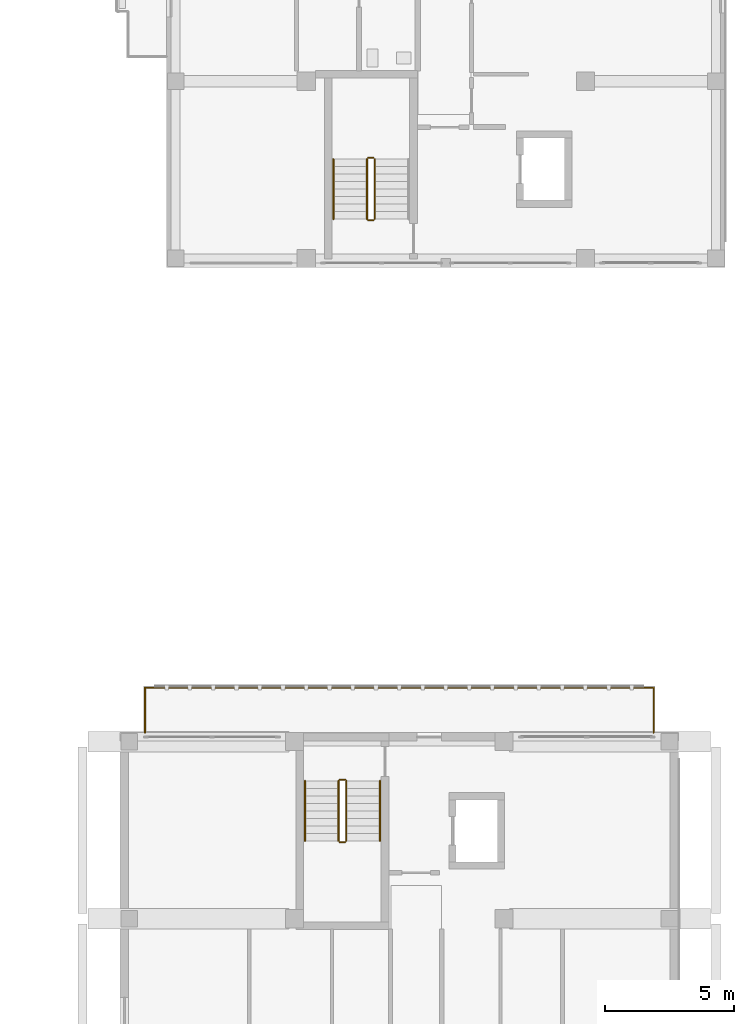
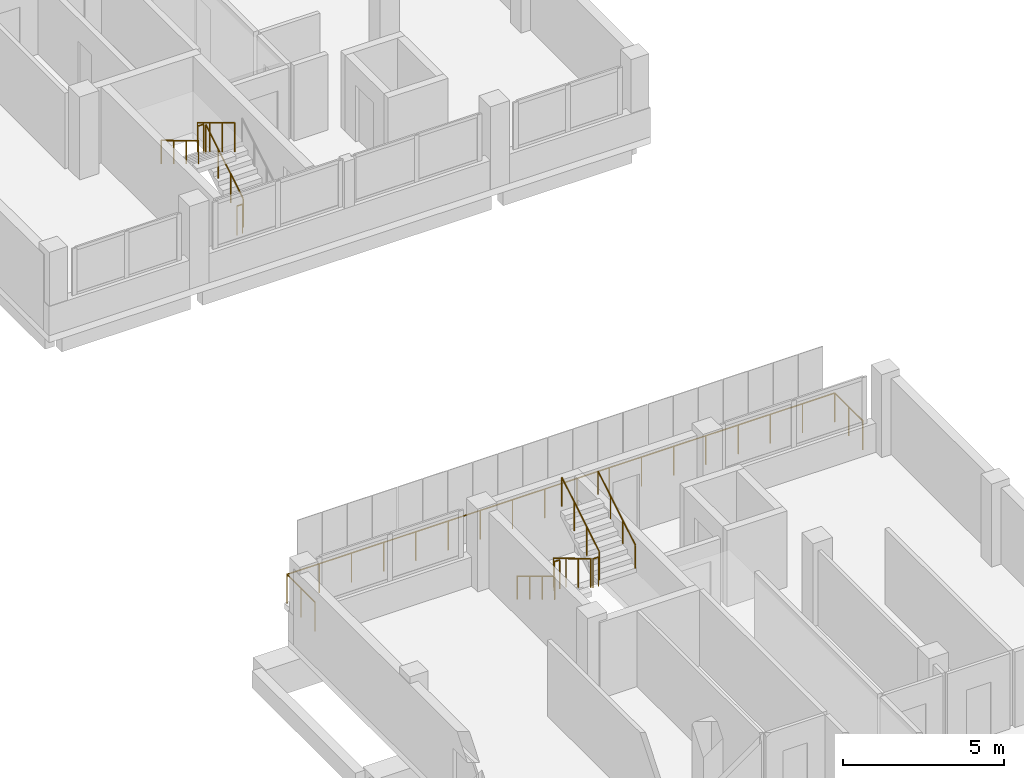
# One storey, part 47 of 51: 12 railings.
"""IFC4 building model written with IfcOpenShell, lengths in metres."""

from ifc_helpers import new_model, si_unit, derived_unit, direction, frame, origin, origin_2d, place, context, subcontext, project, spatial, circle, extrude, material, type_object, element, save


model = new_model("IFC4")

# Units and contexts
model_context = context("Model", 3, precision=1e-05, world=origin(), true_north=direction((0.0, 1.0)))
body_context = subcontext(model_context, "Body", "Model", "MODEL_VIEW")
ifc_project = project(units=[si_unit("LENGTHUNIT", "METRE"), si_unit("AREAUNIT", "SQUARE_METRE"), si_unit("VOLUMEUNIT", "CUBIC_METRE"), si_unit("PLANEANGLEUNIT", "RADIAN"), si_unit("MASSUNIT", "GRAM", prefix="KILO"), derived_unit("THERMALTRANSMITTANCEUNIT", [(si_unit("MASSUNIT", "GRAM", prefix="KILO"), 1), (si_unit("TIMEUNIT", "SECOND"), -3), (si_unit("THERMODYNAMICTEMPERATUREUNIT", "KELVIN"), -1)])], contexts=[model_context])

# Site, building, storey
site_placement = place(None, origin())
site = spatial("IfcSite", under=ifc_project, at=site_placement, CompositionType="ELEMENT")
building_placement = place(site_placement, origin())
building = spatial("IfcBuilding", under=site, at=building_placement, Name="Ochrekiln Boulevard Commons", CompositionType="ELEMENT")
storey_placement = place(building_placement, frame((0.0, 0.0, 18.375)))
storey = spatial("IfcBuildingStorey", under=building, at=storey_placement, Name="L05", CompositionType="ELEMENT", Elevation=18.375)

# Railings
ifc_material_1 = material(Name="Bronze-anodized extruded aluminium 6063-T6", Category="aluminium")
railing_type_1 = type_object("IfcRailingType", Name="RLG-BAL-1120", PredefinedType="BALUSTRADE", material=ifc_material_1)
railing_1_placement = place(storey_placement, frame((150.360107421875, 50.39990234375, 0.0)))
element("IfcRailing", 1, at=railing_1_placement, inside=storey, type_object=railing_type_1, Name="Block C L05 Screened Balcony Guard", PredefinedType="BALUSTRADE", context=body_context, shape_type="SweptSolid", body=[
    extrude(circle(Radius=0.02392578125, at=origin_2d()), frame((0.0, 0.0, 1.09619140625), z_axis=(0.0, 1.0, 0.0), x_axis=(-1.0, 0.0, 0.0)), (0.0, 0.0, 1.0), 1.739990234375),
    extrude(circle(Radius=0.02392578125, at=origin_2d()), frame((0.0, 1.739990234375, 1.09619140625), z_axis=(1.0, 0.0, 0.0), x_axis=(0.0, 1.0, 0.0)), (0.0, 0.0, 1.0), 19.679931640625),
    extrude(circle(Radius=0.02392578125, at=origin_2d()), frame((19.679931640625, 1.739990234375, 1.09619140625), z_axis=(0.0, -1.0, 0.0), x_axis=(1.0, 0.0, 0.0)), (0.0, 0.0, 1.0), 1.739990234375),
    extrude(circle(Radius=0.02099609375, at=origin_2d()), origin(), (0.0, 0.0, 1.0), 1.072021484375),
    extrude(circle(Radius=0.02099609375, at=origin_2d()), frame((0.0, 0.8701171875, 0.0)), (0.0, 0.0, 1.0), 1.072021484375),
    extrude(circle(Radius=0.02099609375, at=origin_2d()), frame((0.0, 1.739990234375, 0.0)), (0.0, 0.0, 1.0), 1.072021484375),
    extrude(circle(Radius=0.02099609375, at=origin_2d()), frame((1.15771484375, 1.739990234375, 0.0)), (0.0, 0.0, 1.0), 1.072021484375),
    extrude(circle(Radius=0.02099609375, at=origin_2d()), frame((2.315185546875, 1.739990234375, 0.0)), (0.0, 0.0, 1.0), 1.072021484375),
    extrude(circle(Radius=0.02099609375, at=origin_2d()), frame((3.472900390625, 1.739990234375, 0.0)), (0.0, 0.0, 1.0), 1.072021484375),
    extrude(circle(Radius=0.02099609375, at=origin_2d()), frame((4.630615234375, 1.739990234375, 0.0)), (0.0, 0.0, 1.0), 1.072021484375),
    extrude(circle(Radius=0.02099609375, at=origin_2d()), frame((5.788330078125, 1.739990234375, 0.0)), (0.0, 0.0, 1.0), 1.072021484375),
    extrude(circle(Radius=0.02099609375, at=origin_2d()), frame((6.94580078125, 1.739990234375, 0.0)), (0.0, 0.0, 1.0), 1.072021484375),
    extrude(circle(Radius=0.02099609375, at=origin_2d()), frame((8.103515625, 1.739990234375, 0.0)), (0.0, 0.0, 1.0), 1.072021484375),
    extrude(circle(Radius=0.02099609375, at=origin_2d()), frame((9.26123046875, 1.739990234375, 0.0)), (0.0, 0.0, 1.0), 1.072021484375),
    extrude(circle(Radius=0.02099609375, at=origin_2d()), frame((10.418701171875, 1.739990234375, 0.0)), (0.0, 0.0, 1.0), 1.072021484375),
    extrude(circle(Radius=0.02099609375, at=origin_2d()), frame((11.576416015625, 1.739990234375, 0.0)), (0.0, 0.0, 1.0), 1.072021484375),
    extrude(circle(Radius=0.02099609375, at=origin_2d()), frame((12.734130859375, 1.739990234375, 0.0)), (0.0, 0.0, 1.0), 1.072021484375),
    extrude(circle(Radius=0.02099609375, at=origin_2d()), frame((13.8916015625, 1.739990234375, 0.0)), (0.0, 0.0, 1.0), 1.072021484375),
    extrude(circle(Radius=0.02099609375, at=origin_2d()), frame((15.04931640625, 1.739990234375, 0.0)), (0.0, 0.0, 1.0), 1.072021484375),
    extrude(circle(Radius=0.02099609375, at=origin_2d()), frame((16.20703125, 1.739990234375, 0.0)), (0.0, 0.0, 1.0), 1.072021484375),
    extrude(circle(Radius=0.02099609375, at=origin_2d()), frame((17.36474609375, 1.739990234375, 0.0)), (0.0, 0.0, 1.0), 1.072021484375),
    extrude(circle(Radius=0.02099609375, at=origin_2d()), frame((18.522216796875, 1.739990234375, 0.0)), (0.0, 0.0, 1.0), 1.072021484375),
    extrude(circle(Radius=0.02099609375, at=origin_2d()), frame((19.679931640625, 1.739990234375, 0.0)), (0.0, 0.0, 1.0), 1.072021484375),
    extrude(circle(Radius=0.02099609375, at=origin_2d()), frame((19.679931640625, 0.8701171875, 0.0)), (0.0, 0.0, 1.0), 1.072021484375),
    extrude(circle(Radius=0.02099609375, at=origin_2d()), frame((19.679931640625, 0.0, 0.0)), (0.0, 0.0, 1.0), 1.072021484375),
])
ifc_material_2 = material(Name="Brushed stainless steel 316 tubular railing", Category="steel")
railing_type_2 = type_object("IfcRailingType", Name="RLG-HDR-900", PredefinedType="HANDRAIL", material=ifc_material_2)
for number, where, name in (
    (2, (157.64990234375, 72.590087890625, 1.75), "L05 ST-B1 stair handrail 2"),
    (3, (156.550048828125, 48.530029296875, 0.175048828125), "L05 ST-C2 stair handrail 1"),
):
    element("IfcRailing", number, at=place(storey_placement, frame(where)), inside=storey, type_object=railing_type_2, Name=name, PredefinedType="HANDRAIL", context=body_context, shape_type="SweptSolid", body=[
        extrude(circle(Radius=0.02392578125, at=origin_2d()), frame((0.0, 0.0, 0.8759765625), z_axis=(0.0, -0.85621033714, 0.516627388526), x_axis=(1.0, 0.0, 0.0)), (0.0, 0.0, 1.0), 2.709716796875),
        extrude(circle(Radius=0.02099609375, at=origin_2d()), origin(), (0.0, 0.0, 1.0), 0.851806640625),
        extrude(circle(Radius=0.02099609375, at=origin_2d()), frame((0.0, -0.7734375, 0.466552734375)), (0.0, 0.0, 1.0), 0.851806640625),
        extrude(circle(Radius=0.02099609375, at=origin_2d()), frame((0.0, -1.546630859375, 0.933349609375)), (0.0, 0.0, 1.0), 0.851806640625),
        extrude(circle(Radius=0.02099609375, at=origin_2d()), frame((0.0, -2.320068359375, 1.39990234375)), (0.0, 0.0, 1.0), 0.851806640625),
    ])
railing_2_placement = place(storey_placement, frame((159.449951171875, 46.2099609375, 1.75)))
element("IfcRailing", 4, at=railing_2_placement, inside=storey, type_object=railing_type_2, Name="L05 ST-C2 stair handrail 2", PredefinedType="HANDRAIL", context=body_context, shape_type="SweptSolid", body=[
    extrude(circle(Radius=0.02392578125, at=origin_2d()), frame((0.0, 0.0, 0.8759765625), z_axis=(0.0, 0.85621033714, 0.516627388526), x_axis=(-1.0, 0.0, 0.0)), (0.0, 0.0, 1.0), 2.709716796875),
    extrude(circle(Radius=0.02099609375, at=origin_2d()), origin(), (0.0, 0.0, 1.0), 0.851806640625),
    extrude(circle(Radius=0.02099609375, at=origin_2d()), frame((0.0, 0.7734375, 0.466552734375)), (0.0, 0.0, 1.0), 0.851806640625),
    extrude(circle(Radius=0.02099609375, at=origin_2d()), frame((0.0, 1.546630859375, 0.933349609375)), (0.0, 0.0, 1.0), 0.851806640625),
    extrude(circle(Radius=0.02099609375, at=origin_2d()), frame((0.0, 2.320068359375, 1.39990234375)), (0.0, 0.0, 1.0), 0.851806640625),
])
railing_type_3 = type_object("IfcRailingType", Name="RLG-STR-1120", PredefinedType="BALUSTRADE", material=ifc_material_2)
railing_3_placement = place(storey_placement, frame((159.25, 70.27001953125, 0.175048828125)))
element("IfcRailing", 5, at=railing_3_placement, inside=storey, type_object=railing_type_3, Name="L05 ST-B1 stair guard 1", PredefinedType="BALUSTRADE", context=body_context, shape_type="SweptSolid", body=[
    extrude(circle(Radius=0.02392578125, at=origin_2d()), frame((0.0, 0.0, 1.09619140625), z_axis=(0.0, 0.85621033714, 0.516627388526), x_axis=(-1.0, 0.0, 0.0)), (0.0, 0.0, 1.0), 2.709716796875),
    extrude(circle(Radius=0.02099609375, at=origin_2d()), origin(), (0.0, 0.0, 1.0), 1.072021484375),
    extrude(circle(Radius=0.02099609375, at=origin_2d()), frame((0.0, 0.7734375, 0.466552734375)), (0.0, 0.0, 1.0), 1.072021484375),
    extrude(circle(Radius=0.02099609375, at=origin_2d()), frame((0.0, 1.546630859375, 0.933349609375)), (0.0, 0.0, 1.0), 1.072021484375),
    extrude(circle(Radius=0.02099609375, at=origin_2d()), frame((0.0, 2.320068359375, 1.39990234375)), (0.0, 0.0, 1.0), 1.072021484375),
])
railing_4_placement = place(storey_placement, frame((159.199951171875, 72.639892578125, 1.574951171875)))
element("IfcRailing", 6, at=railing_4_placement, inside=storey, type_object=railing_type_3, Name="L05 ST-B1 stair guard 2", PredefinedType="BALUSTRADE", context=body_context, shape_type="SweptSolid", body=[
    extrude(circle(Radius=0.02392578125, at=origin_2d()), frame((0.0, 0.0, 1.09619140625), z_axis=(-1.0, 0.0, 0.0), x_axis=(0.0, -1.0, 0.0)), (0.0, 0.0, 1.0), 0.199951171875),
    extrude(circle(Radius=0.02099609375, at=origin_2d()), origin(), (0.0, 0.0, 1.0), 1.072021484375),
    extrude(circle(Radius=0.02099609375, at=origin_2d()), frame((-0.199951171875, 0.0, 0.0)), (0.0, 0.0, 1.0), 1.072021484375),
])
railing_5_placement = place(storey_placement, frame((158.949951171875, 72.590087890625, 1.75)))
element("IfcRailing", 7, at=railing_5_placement, inside=storey, type_object=railing_type_3, Name="L05 ST-B1 stair guard 3", PredefinedType="BALUSTRADE", context=body_context, shape_type="SweptSolid", body=[
    extrude(circle(Radius=0.02392578125, at=origin_2d()), frame((0.0, 0.0, 1.09619140625), z_axis=(0.0, -0.85621033714, 0.516627388526), x_axis=(1.0, 0.0, 0.0)), (0.0, 0.0, 1.0), 2.709716796875),
    extrude(circle(Radius=0.02099609375, at=origin_2d()), origin(), (0.0, 0.0, 1.0), 1.072021484375),
    extrude(circle(Radius=0.02099609375, at=origin_2d()), frame((0.0, -0.7734375, 0.466552734375)), (0.0, 0.0, 1.0), 1.072021484375),
    extrude(circle(Radius=0.02099609375, at=origin_2d()), frame((0.0, -1.546630859375, 0.933349609375)), (0.0, 0.0, 1.0), 1.072021484375),
    extrude(circle(Radius=0.02099609375, at=origin_2d()), frame((0.0, -2.320068359375, 1.39990234375)), (0.0, 0.0, 1.0), 1.072021484375),
])
railing_6_placement = place(storey_placement, frame((159.199951171875, 70.219970703125, 0.0)))
element("IfcRailing", 8, at=railing_6_placement, inside=storey, type_object=railing_type_3, Name="L05 ST-B1 stair guard 4", PredefinedType="BALUSTRADE", context=body_context, shape_type="SweptSolid", body=[
    extrude(circle(Radius=0.02392578125, at=origin_2d()), frame((0.0, 0.0, 1.09619140625), z_axis=(-1.0, 0.0, 0.0), x_axis=(0.0, -1.0, 0.0)), (0.0, 0.0, 1.0), 0.199951171875),
    extrude(circle(Radius=0.02099609375, at=origin_2d()), origin(), (0.0, 0.0, 1.0), 1.072021484375),
    extrude(circle(Radius=0.02099609375, at=origin_2d()), frame((-0.199951171875, 0.0, 0.0)), (0.0, 0.0, 1.0), 1.072021484375),
])
railing_7_placement = place(storey_placement, frame((157.85009765625, 48.530029296875, 0.175048828125)))
element("IfcRailing", 9, at=railing_7_placement, inside=storey, type_object=railing_type_3, Name="L05 ST-C2 stair guard 1", PredefinedType="BALUSTRADE", context=body_context, shape_type="SweptSolid", body=[
    extrude(circle(Radius=0.02392578125, at=origin_2d()), frame((0.0, 0.0, 1.09619140625), z_axis=(0.0, -0.85621033714, 0.516627388526), x_axis=(1.0, 0.0, 0.0)), (0.0, 0.0, 1.0), 2.709716796875),
    extrude(circle(Radius=0.02099609375, at=origin_2d()), origin(), (0.0, 0.0, 1.0), 1.072021484375),
    extrude(circle(Radius=0.02099609375, at=origin_2d()), frame((0.0, -0.7734375, 0.466552734375)), (0.0, 0.0, 1.0), 1.072021484375),
    extrude(circle(Radius=0.02099609375, at=origin_2d()), frame((0.0, -1.546630859375, 0.933349609375)), (0.0, 0.0, 1.0), 1.072021484375),
    extrude(circle(Radius=0.02099609375, at=origin_2d()), frame((0.0, -2.320068359375, 1.39990234375)), (0.0, 0.0, 1.0), 1.072021484375),
])
railing_8_placement = place(storey_placement, frame((157.89990234375, 46.159912109375, 1.574951171875)))
element("IfcRailing", 10, at=railing_8_placement, inside=storey, type_object=railing_type_3, Name="L05 ST-C2 stair guard 2", PredefinedType="BALUSTRADE", context=body_context, shape_type="SweptSolid", body=[
    extrude(circle(Radius=0.02392578125, at=origin_2d()), frame((0.0, 0.0, 1.09619140625), z_axis=(1.0, 0.0, 0.0), x_axis=(0.0, 1.0, 0.0)), (0.0, 0.0, 1.0), 0.2001953125),
    extrude(circle(Radius=0.02099609375, at=origin_2d()), origin(), (0.0, 0.0, 1.0), 1.072021484375),
    extrude(circle(Radius=0.02099609375, at=origin_2d()), frame((0.2001953125, 0.0, 0.0)), (0.0, 0.0, 1.0), 1.072021484375),
])
railing_9_placement = place(storey_placement, frame((158.14990234375, 46.2099609375, 1.75)))
element("IfcRailing", 11, at=railing_9_placement, inside=storey, type_object=railing_type_3, Name="L05 ST-C2 stair guard 3", PredefinedType="BALUSTRADE", context=body_context, shape_type="SweptSolid", body=[
    extrude(circle(Radius=0.02392578125, at=origin_2d()), frame((0.0, 0.0, 1.09619140625), z_axis=(0.0, 0.85621033714, 0.516627388526), x_axis=(-1.0, 0.0, 0.0)), (0.0, 0.0, 1.0), 2.709716796875),
    extrude(circle(Radius=0.02099609375, at=origin_2d()), origin(), (0.0, 0.0, 1.0), 1.072021484375),
    extrude(circle(Radius=0.02099609375, at=origin_2d()), frame((0.0, 0.7734375, 0.466552734375)), (0.0, 0.0, 1.0), 1.072021484375),
    extrude(circle(Radius=0.02099609375, at=origin_2d()), frame((0.0, 1.546630859375, 0.933349609375)), (0.0, 0.0, 1.0), 1.072021484375),
    extrude(circle(Radius=0.02099609375, at=origin_2d()), frame((0.0, 2.320068359375, 1.39990234375)), (0.0, 0.0, 1.0), 1.072021484375),
])
railing_10_placement = place(storey_placement, frame((157.89990234375, 48.580078125, 0.0)))
element("IfcRailing", 12, at=railing_10_placement, inside=storey, type_object=railing_type_3, Name="L05 ST-C2 stair guard 4", PredefinedType="BALUSTRADE", context=body_context, shape_type="SweptSolid", body=[
    extrude(circle(Radius=0.02392578125, at=origin_2d()), frame((0.0, 0.0, 1.09619140625), z_axis=(1.0, 0.0, 0.0), x_axis=(0.0, 1.0, 0.0)), (0.0, 0.0, 1.0), 0.2001953125),
    extrude(circle(Radius=0.02099609375, at=origin_2d()), origin(), (0.0, 0.0, 1.0), 1.072021484375),
    extrude(circle(Radius=0.02099609375, at=origin_2d()), frame((0.2001953125, 0.0, 0.0)), (0.0, 0.0, 1.0), 1.072021484375),
])

save(model, "model.ifc")
